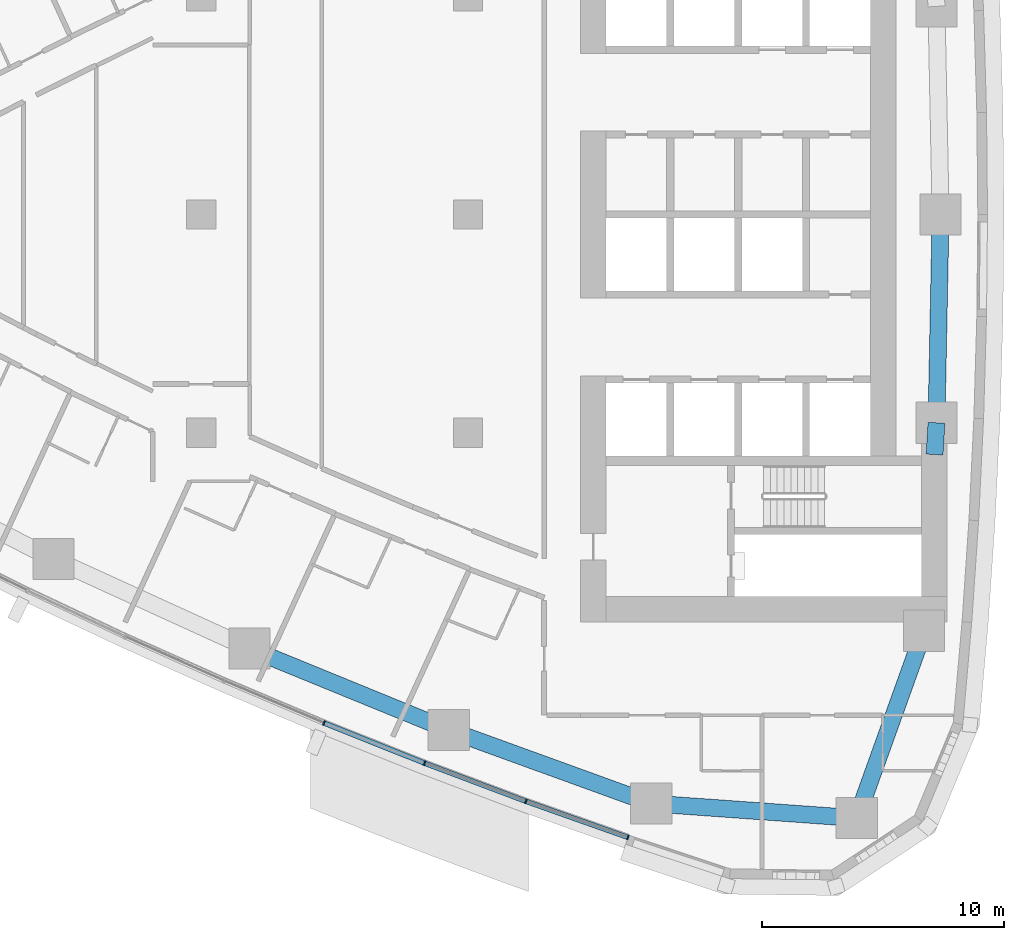
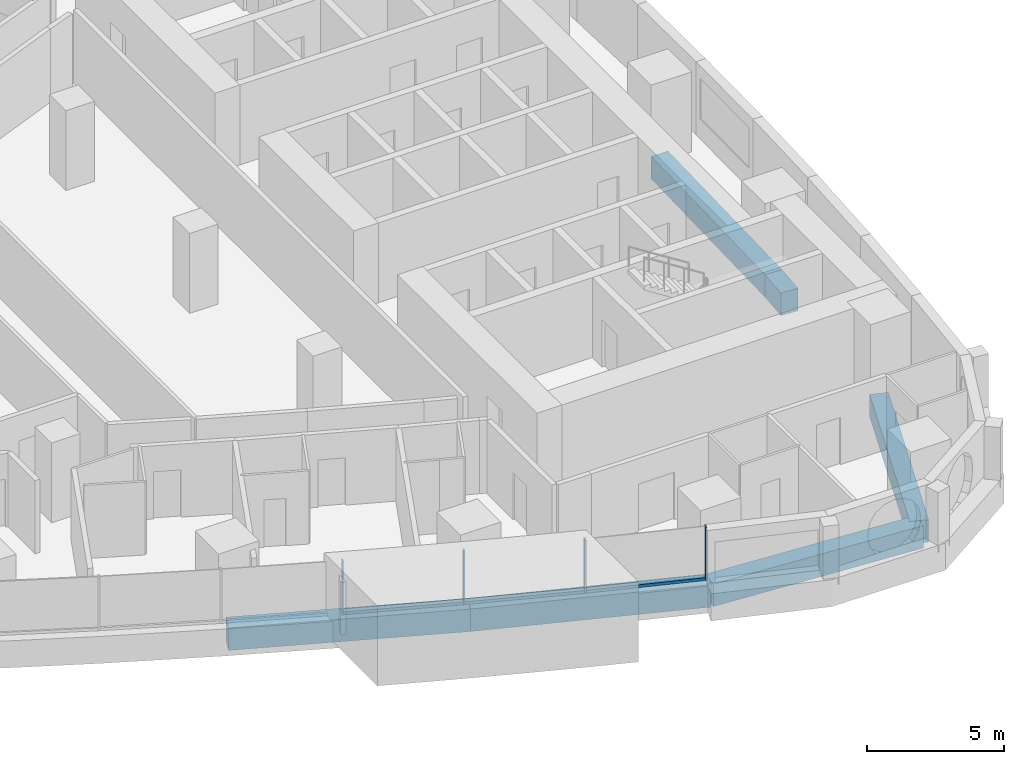
# One storey, part 4 of 17: 7 members, 6 beams, 2 elements without a shape of their own.
"""IFC4 building model written with IfcOpenShell, lengths in metres."""

from ifc_helpers import new_model, si_unit, direction, frame, origin, origin_2d, place, context, subcontext, project, spatial, rectangle, extrude, material, layer, layer_set, material_profile, profile_set, type_object, element, aggregate, save


model = new_model("IFC4")

# Units and contexts
model_context = context("Model", 3, precision=1e-05, world=origin(), true_north=direction((0.0, 1.0)))
body_context = subcontext(model_context, "Body", "Model", "MODEL_VIEW")
ifc_project = project(units=[si_unit("LENGTHUNIT", "METRE"), si_unit("AREAUNIT", "SQUARE_METRE"), si_unit("VOLUMEUNIT", "CUBIC_METRE"), si_unit("PLANEANGLEUNIT", "RADIAN"), si_unit("MASSUNIT", "GRAM", prefix="KILO")], contexts=[model_context])

# Site, building, storey
site_placement = place(None, origin())
site = spatial("IfcSite", under=ifc_project, at=site_placement, CompositionType="ELEMENT")
building_placement = place(site_placement, origin())
building = spatial("IfcBuilding", under=site, at=building_placement, Name="Ostrand Prow Hotel Tower", CompositionType="ELEMENT")
storey_placement = place(building_placement, frame((0.0, 0.0, 109.75)))
storey = spatial("IfcBuildingStorey", under=building, at=storey_placement, Name="L26", CompositionType="ELEMENT", Elevation=109.75)

# Beams
ifc_material_1 = material(Name="Concrete C80/95", Category="concrete")
ifc_material_profile_1 = material_profile(ifc_material_1, rectangle(XDim=0.699951171875, YDim=1.0, at=origin_2d()), Name="RC 700x1000")
ifc_profile_set_1 = profile_set([ifc_material_profile_1], Name="Concrete C80/95")
beam_type = type_object("IfcBeamType", Name="Edge beam 700x1000 C80/95", PredefinedType="SPANDREL", material=ifc_profile_set_1)
beam_1_placement = place(storey_placement, frame((35.98828125, -17.901611328125, -0.800048828125), z_axis=(0.925612172894, -0.378473387955, 0.0), x_axis=(0.378473387955, 0.925612172894, 0.0)))
element("IfcBeam", 1, at=beam_1_placement, inside=storey, type_object=beam_type, Name="Edge beam S4-S5", PredefinedType="SPANDREL", context=body_context, shape_type="SweptSolid", body=[
    extrude(rectangle(XDim=0.699951171875, YDim=1.0, at=origin_2d()), origin(), (0.0, 0.0, 1.0), 8.88330078125),
])
beam_2_placement = place(storey_placement, frame((44.210693359375, -21.263671875, -0.800048828125), z_axis=(0.940062739321, -0.341001533927, 0.0), x_axis=(0.341001533927, 0.940062739321, 0.0)))
element("IfcBeam", 2, at=beam_2_placement, inside=storey, type_object=beam_type, Name="Edge beam S5-S6", PredefinedType="SPANDREL", context=body_context, shape_type="SweptSolid", body=[
    extrude(rectangle(XDim=0.699951171875, YDim=1.0, at=origin_2d()), origin(), (0.0, 0.0, 1.0), 8.883544921875),
])
beam_3_placement = place(storey_placement, frame((52.561767578125, -24.29296875, -0.800048828125), z_axis=(0.99747195063, -0.071061295414, 0.0), x_axis=(0.071061295414, 0.99747195063, 0.0)))
element("IfcBeam", 3, at=beam_3_placement, inside=storey, type_object=beam_type, Name="Edge beam S6-SE", PredefinedType="SPANDREL", context=body_context, shape_type="SweptSolid", body=[
    extrude(rectangle(XDim=0.699951171875, YDim=1.0, at=origin_2d()), origin(), (0.0, 0.0, 1.0), 8.499755859375),
])
beam_4_placement = place(storey_placement, frame((61.0400390625, -24.89697265625, -0.800048828125), z_axis=(0.337815484063, 0.941212355809, 0.0), x_axis=(-0.941212355809, 0.337815484063, 0.0)))
element("IfcBeam", 4, at=beam_4_placement, inside=storey, type_object=beam_type, Name="Edge beam SE-B1", PredefinedType="SPANDREL", context=body_context, shape_type="SweptSolid", body=[
    extrude(rectangle(XDim=0.699951171875, YDim=1.0, at=origin_2d()), origin(), (0.0, 0.0, 1.0), 8.21630859375),
])
beam_5_placement = place(storey_placement, frame((64.25048828125, -9.89990234375, -0.800048828125), z_axis=(0.059658953766, 0.998218818314, 0.0), x_axis=(-0.998218818314, 0.059658953766, 0.0)))
element("IfcBeam", 5, at=beam_5_placement, inside=storey, type_object=beam_type, Name="Edge beam B1-B2", PredefinedType="SPANDREL", context=body_context, shape_type="SweptSolid", body=[
    extrude(rectangle(XDim=0.699951171875, YDim=1.0, at=origin_2d()), origin(), (0.0, 0.0, 1.0), 1.313720703125),
])
beam_6_placement = place(storey_placement, frame((64.328857421875, -8.588623046875, -0.800048828125), z_axis=(0.019922705812, 0.9998015232, 0.0), x_axis=(-0.9998015232, 0.019922705812, 0.0)))
element("IfcBeam", 6, at=beam_6_placement, inside=storey, type_object=beam_type, Name="Edge beam B2-B3", PredefinedType="SPANDREL", context=body_context, shape_type="SweptSolid", body=[
    extrude(rectangle(XDim=0.699951171875, YDim=1.0, at=origin_2d()), origin(), (0.0, 0.0, 1.0), 8.59033203125),
])

# Curtain wall, members
ifc_material_2 = material(Name="Insulated glass in bronze anodised frame", Category="glass")
ifc_layer = layer(ifc_material_2, 0.199951171875)
ifc_layer_set = layer_set([ifc_layer], Name="Insulated glass in bronze anodised frame")
curtain_wall_type = type_object("IfcCurtainWallType", Name="Strip curtain wall, fritted glass over bronze spandrel", PredefinedType="NOTDEFINED", material=ifc_layer_set)
curtain_wall_1_placement = place(storey_placement, origin())
curtain_wall_1 = element("IfcCurtainWall", 7, at=curtain_wall_1_placement, inside=storey, type_object=curtain_wall_type, Name="CW1 run CWS4", PredefinedType="NOTDEFINED")
ifc_material_3 = material(Name="Bronze anodised aluminium", Category="aluminium")
ifc_material_profile_2 = material_profile(ifc_material_3, rectangle(XDim=0.199951171875, YDim=0.06005859375, at=origin_2d()), Name="Mullion 60x200 bronze anodised aluminium")
ifc_profile_set_2 = profile_set([ifc_material_profile_2], Name="Bronze anodised aluminium")
member_type_1 = type_object("IfcMemberType", Name="Mullion 60x200 bronze anodised aluminium", PredefinedType="MULLION", material=ifc_profile_set_2)
member_1_placement = place(storey_placement, frame((39.06396484375, -20.97265625, 0.89990234375), z_axis=(0.0, 0.0, 1.0), x_axis=(0.370982121315, 0.928640008649, 0.0)))
member_1 = element("IfcMember", 8, at=member_1_placement, type_object=member_type_1, Name="CW1 mullion 2", PredefinedType="MULLION", context=body_context, shape_type="SweptSolid", body=[
    extrude(rectangle(XDim=0.199951171875, YDim=0.06005859375, at=origin_2d()), origin(), (0.0, 0.0, 1.0), 2.35009765625),
])
member_2_placement = place(storey_placement, frame((43.211181640625, -22.62939453125, 0.89990234375), z_axis=(0.0, 0.0, 1.0), x_axis=(0.370982121315, 0.928640008649, 0.0)))
member_2 = element("IfcMember", 9, at=member_2_placement, type_object=member_type_1, Name="CW1 mullion 3", PredefinedType="MULLION", context=body_context, shape_type="SweptSolid", body=[
    extrude(rectangle(XDim=0.199951171875, YDim=0.06005859375, at=origin_2d()), origin(), (0.0, 0.0, 1.0), 2.35009765625),
])

curtain_wall_2_placement = place(storey_placement, origin())
curtain_wall_2 = element("IfcCurtainWall", 10, at=curtain_wall_2_placement, inside=storey, type_object=curtain_wall_type, Name="CW1 run CWS5", PredefinedType="NOTDEFINED")
member_3_placement = place(storey_placement, frame((47.390869140625, -24.202880859375, 0.89990234375), z_axis=(0.0, 0.0, 1.0), x_axis=(0.333495894542, 0.942751551748, 0.0)))
member_3 = element("IfcMember", 11, at=member_3_placement, type_object=member_type_1, Name="CW1 mullion 2", PredefinedType="MULLION", context=body_context, shape_type="SweptSolid", body=[
    extrude(rectangle(XDim=0.199951171875, YDim=0.06005859375, at=origin_2d()), origin(), (0.0, 0.0, 1.0), 2.35009765625),
])
member_4_placement = place(storey_placement, frame((51.601318359375, -25.692138671875, 0.89990234375), z_axis=(0.0, 0.0, 1.0), x_axis=(0.333495894542, 0.942751551748, 0.0)))
member_4 = element("IfcMember", 12, at=member_4_placement, type_object=member_type_1, Name="CW1 mullion 3", PredefinedType="MULLION", context=body_context, shape_type="SweptSolid", body=[
    extrude(rectangle(XDim=0.199951171875, YDim=0.06005859375, at=origin_2d()), origin(), (0.0, 0.0, 1.0), 2.35009765625),
])

# Member
ifc_material_4 = material(Name="Bronze anodised aluminium", Category="aluminium")
ifc_material_profile_3 = material_profile(ifc_material_4, rectangle(XDim=0.199951171875, YDim=0.1201171875, at=origin_2d()), Name="Transom 120x200 bronze anodised aluminium")
ifc_profile_set_3 = profile_set([ifc_material_profile_3], Name="Bronze anodised aluminium")
member_type_2 = type_object("IfcMemberType", Name="Transom 120x200 bronze anodised aluminium", PredefinedType="USERDEFINED", material=ifc_profile_set_3)
member_5_placement = place(storey_placement, frame((39.091796875, -20.983642578125, 0.9599609375), z_axis=(0.928621833209, -0.371027614724, 0.0), x_axis=(0.371027614724, 0.928621833209, 0.0)))
member_5 = element("IfcMember", 13, at=member_5_placement, type_object=member_type_2, Name="CW1 transom 2.1", ObjectType="TRANSOM", PredefinedType="USERDEFINED", context=body_context, shape_type="SweptSolid", body=[
    extrude(rectangle(XDim=0.199951171875, YDim=0.1201171875, at=origin_2d()), origin(), (0.0, 0.0, 1.0), 4.406005859375),
])

aggregate(curtain_wall_1, [member_1, member_2, member_5])

member_6_placement = place(storey_placement, frame((43.2392578125, -22.639892578125, 0.9599609375), z_axis=(0.935868398429, -0.352349742191, 0.0), x_axis=(0.352349742191, 0.935868398429, 0.0)))
member_6 = element("IfcMember", 14, at=member_6_placement, type_object=member_type_2, Name="CW1 transom 1.1", ObjectType="TRANSOM", PredefinedType="USERDEFINED", context=body_context, shape_type="SweptSolid", body=[
    extrude(rectangle(XDim=0.199951171875, YDim=0.1201171875, at=origin_2d()), origin(), (0.0, 0.0, 1.0), 4.406005859375),
])

member_7_placement = place(storey_placement, frame((47.419189453125, -24.212890625, 0.9599609375), z_axis=(0.942763014139, -0.333463490013, 0.0), x_axis=(0.333463490013, 0.942763014139, 0.0)))
member_7 = element("IfcMember", 15, at=member_7_placement, type_object=member_type_2, Name="CW1 transom 2.1", ObjectType="TRANSOM", PredefinedType="USERDEFINED", context=body_context, shape_type="SweptSolid", body=[
    extrude(rectangle(XDim=0.199951171875, YDim=0.1201171875, at=origin_2d()), origin(), (0.0, 0.0, 1.0), 4.406005859375),
])

aggregate(curtain_wall_2, [member_3, member_4, member_6, member_7])

save(model, "model.ifc")
